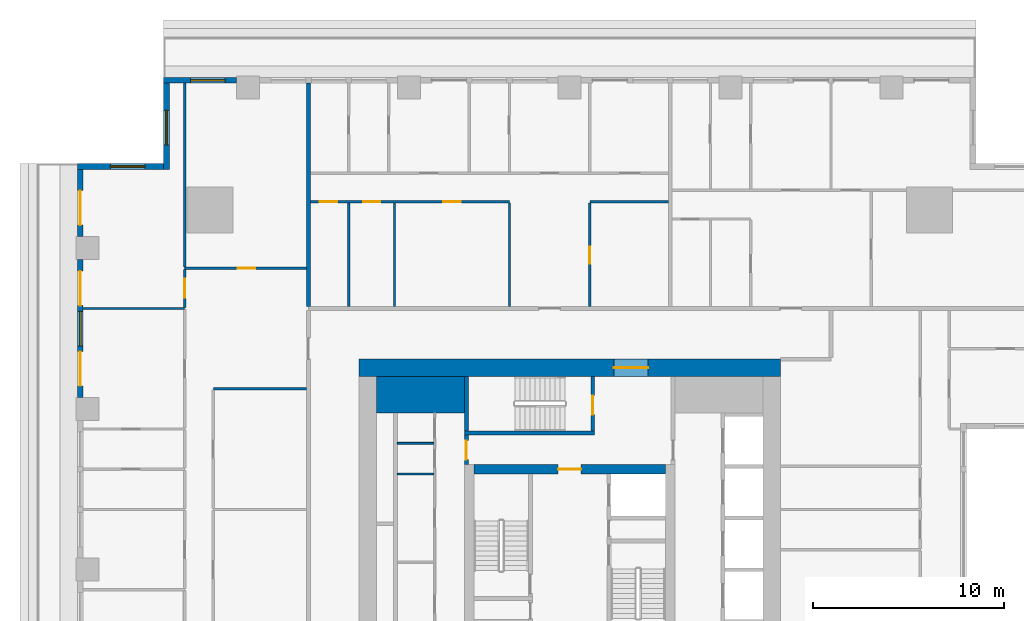
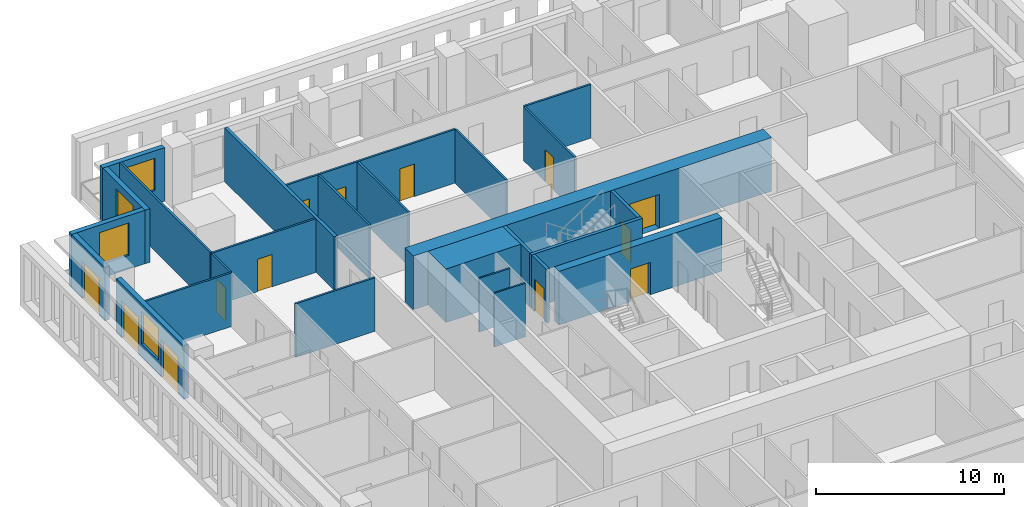
# One storey, part 7 of 16: 26 walls, 13 doors, 4 windows, 17 openings.
"""IFC4 building model written with IfcOpenShell, lengths in metres."""

from ifc_helpers import new_model, si_unit, direction, frame, frame_2d, origin, place, context, subcontext, project, spatial, rectangle, extrude, material, layer, layer_set, type_object, element, fill, save


model = new_model("IFC4")

# Units and contexts
model_context = context("Model", 3, precision=1e-05, world=origin(), true_north=direction((0.0, 1.0)))
body_context = subcontext(model_context, "Body", "Model", "MODEL_VIEW")
ifc_project = project(units=[si_unit("LENGTHUNIT", "METRE"), si_unit("AREAUNIT", "SQUARE_METRE"), si_unit("VOLUMEUNIT", "CUBIC_METRE"), si_unit("PLANEANGLEUNIT", "RADIAN"), si_unit("MASSUNIT", "GRAM", prefix="KILO")], contexts=[model_context])

# Site, building, storey
site_placement = place(None, origin())
site = spatial("IfcSite", under=ifc_project, at=site_placement, CompositionType="ELEMENT")
building_placement = place(site_placement, origin())
building = spatial("IfcBuilding", under=site, at=building_placement, Name="Khepri Terraces", CompositionType="ELEMENT")
storey_placement = place(building_placement, frame((0.0, 0.0, 207.89990234375)))
storey = spatial("IfcBuildingStorey", under=building, at=storey_placement, Name="L49", CompositionType="ELEMENT", Elevation=207.89990234375)

# Walls
ifc_material_1 = material(Name="Concrete C50/60", Category="concrete")
ifc_layer_1 = layer(ifc_material_1, 1.89990234375, Name="Concrete C50/60", Category="concrete")
ifc_layer_set_1 = layer_set([ifc_layer_1], Name="Concrete C50/60")
wall_type_1 = type_object("IfcWallType", Name="Core wall 1900 C50/60", PredefinedType="SHEAR", material=ifc_layer_set_1)
wall_1_placement = place(storey_placement, frame((-10.10009765625, 9.14990234375, 0.0), z_axis=(0.0, 0.0, 1.0), x_axis=(1.0, 0.0, 0.0)))
element("IfcWall", 1, at=wall_1_placement, inside=storey, type_object=wall_type_1, Name="Core wall PR03 L49", PredefinedType="SHEAR", context=body_context, shape_type="SweptSolid", body=[
    extrude(rectangle(XDim=4.60009765625, YDim=1.89990234375, at=frame_2d((2.300048828125, 0.0))), origin(), (0.0, 0.0, 1.0), 3.47998046875),
])
ifc_layer_2 = layer(ifc_material_1, 0.199951171875, Name="Concrete C50/60", Category="concrete")
ifc_layer_set_2 = layer_set([ifc_layer_2], Name="Concrete C50/60")
wall_type_2 = type_object("IfcWallType", Name="Core wall 200 C50/60", PredefinedType="SHEAR", material=ifc_layer_set_2)
wall_2_placement = place(storey_placement, frame((-5.5, 7.14990234375, 0.0), z_axis=(0.0, 0.0, 1.0), x_axis=(1.0, 0.0, 0.0)))
element("IfcWall", 2, at=wall_2_placement, inside=storey, type_object=wall_type_2, Name="Core wall ST05 L49", PredefinedType="SHEAR", context=body_context, shape_type="SweptSolid", body=[
    extrude(rectangle(XDim=6.800048828125, YDim=0.199951171875, at=frame_2d((3.39990234375, 0.0))), origin(), (0.0, 0.0, 1.0), 3.47998046875),
])
wall_3_placement = place(storey_placement, frame((-5.39990234375, 7.25, 0.0), z_axis=(0.0, 0.0, 1.0), x_axis=(0.0, 1.0, 0.0)))
element("IfcWall", 3, at=wall_3_placement, inside=storey, type_object=wall_type_2, Name="Core wall ST06 L49", PredefinedType="SHEAR", context=body_context, shape_type="SweptSolid", body=[
    extrude(rectangle(XDim=2.85009765625, YDim=0.199951171875, at=frame_2d((1.425048828125, 0.0))), origin(), (0.0, 0.0, 1.0), 3.47998046875),
])

# Wall, opening, door
wall_4_placement = place(storey_placement, frame((1.199951171875, 7.25, 0.0), z_axis=(0.0, 0.0, 1.0), x_axis=(0.0, 1.0, 0.0)))
wall_4 = element("IfcWall", 4, at=wall_4_placement, inside=storey, type_object=wall_type_2, Name="Core wall ST07 L49", PredefinedType="SHEAR", context=body_context, shape_type="SweptSolid", body=[
    extrude(rectangle(XDim=2.85009765625, YDim=0.199951171875, at=frame_2d((1.425048828125, 0.0))), origin(), (0.0, 0.0, 1.0), 3.47998046875),
])
opening_1_placement = place(wall_4_placement, frame((0.85009765625, 0.0, 0.0)))
opening_1 = element("IfcOpeningElement", 5, at=opening_1_placement, cuts=wall_4, Name="Opening L49-C15", PredefinedType="OPENING", context=body_context, shape_type="SweptSolid", body=[
    extrude(rectangle(XDim=1.0, YDim=2.10009765625, at=frame_2d((0.5, 1.050048828125))), frame((0.0, 0.10986328125, 0.0), z_axis=(0.0, -1.0, 0.0), x_axis=(1.0, 0.0, 0.0)), (0.0, 0.0, 1.0), 0.219970703125),
])
ifc_material_2 = material(Name="Painted steel", Category="steel")
door_type_1 = type_object("IfcDoorType", Name="DR-CORE-STAIR-1000", OperationType="NOTDEFINED", PredefinedType="DOOR", material=ifc_material_2)
door_1_placement = place(opening_1_placement, origin())
door_1 = element("IfcDoor", 6, at=door_1_placement, inside=storey, type_object=door_type_1, Name="Stair door L49-C15", OperationType="SINGLE_SWING_LEFT", OverallHeight=2.10009765625, OverallWidth=1.0, PredefinedType="DOOR", context=body_context, shape_type="SweptSolid", body=[
    extrude(rectangle(XDim=1.0, YDim=2.10009765625, at=frame_2d((0.5, 1.050048828125))), frame((0.0, 0.02490234375, 0.0), z_axis=(0.0, -1.0, 0.0), x_axis=(1.0, 0.0, 0.0)), (0.0, 0.0, 1.0), 0.050048828125),
])
fill(opening_1, door_1)

ifc_layer_3 = layer(ifc_material_1, 0.5, Name="Concrete C50/60", Category="concrete")
ifc_layer_set_3 = layer_set([ifc_layer_3], Name="Concrete C50/60")
wall_type_3 = type_object("IfcWallType", Name="Core wall 500 C50/60", PredefinedType="SHEAR", material=ifc_layer_set_3)
wall_5_placement = place(storey_placement, frame((-5.0, 5.25, 0.0), z_axis=(0.0, 0.0, 1.0), x_axis=(1.0, 0.0, 0.0)))
wall_5 = element("IfcWall", 7, at=wall_5_placement, inside=storey, type_object=wall_type_3, Name="Core wall BX04 L49", PredefinedType="SHEAR", context=body_context, shape_type="SweptSolid", body=[
    extrude(rectangle(XDim=10.0, YDim=0.5, at=frame_2d((5.0, 0.0))), origin(), (0.0, 0.0, 1.0), 3.47998046875),
])
opening_2_placement = place(wall_5_placement, frame((4.39990234375, 0.0, 0.0)))
opening_2 = element("IfcOpeningElement", 8, at=opening_2_placement, cuts=wall_5, Name="Opening L49-C13", PredefinedType="OPENING", context=body_context, shape_type="SweptSolid", body=[
    extrude(rectangle(XDim=1.199951171875, YDim=2.10009765625, at=frame_2d((0.60009765625, 1.050048828125))), frame((0.0, 0.260009765625, 0.0), z_axis=(0.0, -1.0, 0.0), x_axis=(1.0, 0.0, 0.0)), (0.0, 0.0, 1.0), 0.52001953125),
])
door_type_2 = type_object("IfcDoorType", Name="DR-CORE-FF-LOBBY-1200", OperationType="NOTDEFINED", PredefinedType="DOOR", material=ifc_material_2)
door_2_placement = place(opening_2_placement, frame((1.199951171875, 0.0, 0.0), z_axis=(0.0, 0.0, 1.0), x_axis=(-1.0, 0.0, 0.0)))
door_2 = element("IfcDoor", 9, at=door_2_placement, inside=storey, type_object=door_type_2, Name="Firefighting lobby door L49-C13", OperationType="SINGLE_SWING_LEFT", OverallHeight=2.10009765625, OverallWidth=1.199951171875, PredefinedType="DOOR", context=body_context, shape_type="SweptSolid", body=[
    extrude(rectangle(XDim=1.199951171875, YDim=2.10009765625, at=frame_2d((0.60009765625, 1.050048828125))), frame((0.0, 0.02490234375, 0.0), z_axis=(0.0, -1.0, 0.0), x_axis=(1.0, 0.0, 0.0)), (0.0, 0.0, 1.0), 0.050048828125),
])
fill(opening_2, door_2)

ifc_layer_4 = layer(ifc_material_1, 0.89990234375, Name="Concrete C50/60", Category="concrete")
ifc_layer_set_4 = layer_set([ifc_layer_4], Name="Concrete C50/60")
wall_type_4 = type_object("IfcWallType", Name="Core wall 900 C50/60", PredefinedType="SHEAR", material=ifc_layer_set_4)
wall_6_placement = place(storey_placement, frame((-11.0, 10.550048828125, 0.0), z_axis=(0.0, 0.0, 1.0), x_axis=(1.0, 0.0, 0.0)))
wall_6 = element("IfcWall", 10, at=wall_6_placement, inside=storey, type_object=wall_type_4, Name="Core wall OW-N L49", PredefinedType="SHEAR", context=body_context, shape_type="SweptSolid", body=[
    extrude(rectangle(XDim=22.0, YDim=0.89990234375, at=frame_2d((11.0, 0.0))), origin(), (0.0, 0.0, 1.0), 3.47998046875),
])
opening_3_placement = place(wall_6_placement, frame((13.300048828125, 0.0, 0.0)))
opening_3 = element("IfcOpeningElement", 11, at=opening_3_placement, cuts=wall_6, Name="Opening L49-C20", PredefinedType="OPENING", context=body_context, shape_type="SweptSolid", body=[
    extrude(rectangle(XDim=1.800048828125, YDim=2.199951171875, at=frame_2d((0.89990234375, 1.10009765625))), frame((0.0, 0.4599609375, 0.0), z_axis=(0.0, -1.0, 0.0), x_axis=(1.0, 0.0, 0.0)), (0.0, 0.0, 1.0), 0.919921875),
])
door_type_3 = type_object("IfcDoorType", Name="DR-CORE-ENTRANCE-1800", OperationType="NOTDEFINED", PredefinedType="DOOR", material=ifc_material_2)
door_3_placement = place(opening_3_placement, origin())
door_3 = element("IfcDoor", 12, at=door_3_placement, inside=storey, type_object=door_type_3, Name="Core entrance door pair L49-C20", OperationType="DOUBLE_DOOR_SINGLE_SWING", OverallHeight=2.199951171875, OverallWidth=1.800048828125, PredefinedType="DOOR", context=body_context, shape_type="SweptSolid", body=[
    extrude(rectangle(XDim=1.800048828125, YDim=2.199951171875, at=frame_2d((0.89990234375, 1.10009765625))), frame((0.0, 0.02490234375, 0.0), z_axis=(0.0, -1.0, 0.0), x_axis=(1.0, 0.0, 0.0)), (0.0, 0.0, 1.0), 0.050048828125),
])
fill(opening_3, door_3)

# Walls
ifc_material_3 = material(Name="Fire-rated gypsum board partition")
ifc_layer_5 = layer(ifc_material_3, 0.10009765625, Name="Fire-rated gypsum board partition")
ifc_layer_set_5 = layer_set([ifc_layer_5], Name="Fire-rated gypsum board partition")
wall_type_5 = type_object("IfcWallType", Name="WL-CORE-PART-100", PredefinedType="PARTITIONING", material=ifc_layer_set_5)
for number, where, z_axis, x_axis, name in (
    (13, (-9.0, 5.0, 0.0), (0.0, 0.0, 1.0), (1.0, 0.0, 0.0), "Core partition PT11 L49"),
    (14, (-9.0, 6.60009765625, 0.0), (0.0, 0.0, 1.0), (1.0, 0.0, 0.0), "Core partition PT14 L49"),
):
    element("IfcWall", number, at=place(storey_placement, frame(where, z_axis=z_axis, x_axis=x_axis)), inside=storey, type_object=wall_type_5, Name=name, PredefinedType="PARTITIONING", context=body_context, shape_type="SweptSolid", body=[
        extrude(rectangle(XDim=1.89990234375, YDim=0.10009765625, at=frame_2d((0.949951171875, 0.0))), origin(), (0.0, 0.0, 1.0), 3.47998046875),
    ])

# Wall, opening, door
ifc_layer_6 = layer(ifc_material_3, 0.199951171875, Name="Fire-rated gypsum board partition")
ifc_layer_set_6 = layer_set([ifc_layer_6], Name="Fire-rated gypsum board partition")
wall_type_6 = type_object("IfcWallType", Name="WL-CORE-PART-200", PredefinedType="PARTITIONING", material=ifc_layer_set_6)
wall_7_placement = place(storey_placement, frame((-5.39990234375, 5.5, 0.0), z_axis=(0.0, 0.0, 1.0), x_axis=(0.0, 1.0, 0.0)))
wall_7 = element("IfcWall", 15, at=wall_7_placement, inside=storey, type_object=wall_type_6, Name="Core partition PT12 L49", PredefinedType="PARTITIONING", context=body_context, shape_type="SweptSolid", body=[
    extrude(rectangle(XDim=1.550048828125, YDim=0.199951171875, at=frame_2d((0.77490234375, 0.0))), origin(), (0.0, 0.0, 1.0), 3.47998046875),
])
opening_4_placement = place(wall_7_placement, frame((0.25, 0.0, 0.0)))
opening_4 = element("IfcOpeningElement", 16, at=opening_4_placement, cuts=wall_7, Name="Opening L49-C16", PredefinedType="OPENING", context=body_context, shape_type="SweptSolid", body=[
    extrude(rectangle(XDim=1.0, YDim=2.10009765625, at=frame_2d((0.5, 1.050048828125))), frame((0.0, 0.10986328125, 0.0), z_axis=(0.0, -1.0, 0.0), x_axis=(1.0, 0.0, 0.0)), (0.0, 0.0, 1.0), 0.219970703125),
])
door_type_4 = type_object("IfcDoorType", Name="DR-CORE-LOBBY-1000", OperationType="NOTDEFINED", PredefinedType="DOOR", material=ifc_material_2)
door_4_placement = place(opening_4_placement, frame((1.0, 0.0, 0.0), z_axis=(0.0, 0.0, 1.0), x_axis=(-1.0, 0.0, 0.0)))
door_4 = element("IfcDoor", 17, at=door_4_placement, inside=storey, type_object=door_type_4, Name="Lobby door L49-C16", OperationType="SINGLE_SWING_RIGHT", OverallHeight=2.10009765625, OverallWidth=1.0, PredefinedType="DOOR", context=body_context, shape_type="SweptSolid", body=[
    extrude(rectangle(XDim=1.0, YDim=2.10009765625, at=frame_2d((0.5, 1.050048828125))), frame((0.0, 0.02490234375, 0.0), z_axis=(0.0, -1.0, 0.0), x_axis=(1.0, 0.0, 0.0)), (0.0, 0.0, 1.0), 0.050048828125),
])
fill(opening_4, door_4)

# Wall
ifc_material_4 = material(Name="Fire-rated gypsum plasterboard partition, mineral wool")
ifc_layer_7 = layer(ifc_material_4, 0.199951171875, Name="Fire-rated gypsum plasterboard partition, mineral wool")
ifc_layer_set_7 = layer_set([ifc_layer_7], Name="Fire-rated gypsum plasterboard partition, mineral wool")
wall_type_7 = type_object("IfcWallType", Name="WL-CORR-200", PredefinedType="PARTITIONING", material=ifc_layer_set_7)
wall_8_placement = place(storey_placement, frame((-13.64990234375, 13.75, 0.0), z_axis=(0.0, 0.0, 1.0), x_axis=(0.0, 1.0, 0.0)))
element("IfcWall", 18, at=wall_8_placement, inside=storey, type_object=wall_type_7, Name="Partition P-077 L49", PredefinedType="PARTITIONING", context=body_context, shape_type="SweptSolid", body=[
    extrude(rectangle(XDim=11.669921875, YDim=0.199951171875, at=frame_2d((5.8349609375, 0.0))), origin(), (0.0, 0.0, 1.0), 3.47998046875),
])

# Wall, opening, window
ifc_material_5 = material(Name="Precast concrete C50/60 warm stone", Category="masonry")
ifc_layer_8 = layer(ifc_material_5, 0.300048828125, Name="Precast concrete C50/60 warm stone", Category="masonry")
ifc_layer_set_8 = layer_set([ifc_layer_8], Name="Precast concrete C50/60 warm stone")
wall_type_8 = type_object("IfcWallType", Name="WL-EXT-PRECAST-300", PredefinedType="STANDARD", material=ifc_layer_set_8)
wall_9_placement = place(storey_placement, frame((-17.39990234375, 25.570068359375, 0.0), z_axis=(0.0, 0.0, 1.0), x_axis=(-1.0, 0.0, 0.0)))
wall_9 = element("IfcWall", 19, at=wall_9_placement, inside=storey, type_object=wall_type_8, Name="External wall L49 N", PredefinedType="STANDARD", context=body_context, shape_type="SweptSolid", body=[
    extrude(rectangle(XDim=3.820068359375, YDim=0.300048828125, at=frame_2d((1.91015625, 0.0))), origin(), (0.0, 0.0, 1.0), 3.47998046875),
])
opening_5_placement = place(wall_9_placement, frame((0.60009765625, 0.0, 0.89990234375)))
opening_5 = element("IfcOpeningElement", 20, at=opening_5_placement, cuts=wall_9, Name="Opening W1", PredefinedType="OPENING", context=body_context, shape_type="SweptSolid", body=[
    extrude(rectangle(XDim=1.800048828125, YDim=2.10009765625, at=frame_2d((0.89990234375, 1.050048828125))), frame((0.0, 0.16015625, 0.0), z_axis=(0.0, -1.0, 0.0), x_axis=(1.0, 0.0, 0.0)), (0.0, 0.0, 1.0), 0.320068359375),
])
ifc_material_6 = material(Name="Clear glass", Category="glass")
window_type = type_object("IfcWindowType", Name="WIN-RES-1800x2100", PartitioningType="SINGLE_PANEL", PredefinedType="WINDOW", material=ifc_material_6)
window_1_placement = place(opening_5_placement, origin())
window_1 = element("IfcWindow", 21, at=window_1_placement, inside=storey, type_object=window_type, Name="Window L49 N", OverallHeight=2.10009765625, OverallWidth=1.800048828125, PartitioningType="SINGLE_PANEL", PredefinedType="WINDOW", context=body_context, shape_type="SweptSolid", body=[
    extrude(rectangle(XDim=1.800048828125, YDim=2.10009765625, at=frame_2d((0.89990234375, 1.050048828125))), frame((0.0, 0.030029296875, 0.0), z_axis=(0.0, -1.0, 0.0), x_axis=(1.0, 0.0, 0.0)), (0.0, 0.0, 1.0), 0.06005859375),
])
fill(opening_5, window_1)

wall_10_placement = place(storey_placement, frame((-21.070068359375, 25.419921875, 0.0), z_axis=(0.0, 0.0, 1.0), x_axis=(0.0, -1.0, 0.0)))
wall_10 = element("IfcWall", 22, at=wall_10_placement, inside=storey, type_object=wall_type_8, Name="External wall L49 W", PredefinedType="STANDARD", context=body_context, shape_type="SweptSolid", body=[
    extrude(rectangle(XDim=4.5, YDim=0.300048828125, at=frame_2d((2.25, 0.0))), origin(), (0.0, 0.0, 1.0), 3.47998046875),
])
opening_6_placement = place(wall_10_placement, frame((1.419921875, 0.0, 0.89990234375)))
opening_6 = element("IfcOpeningElement", 23, at=opening_6_placement, cuts=wall_10, Name="Opening W1", PredefinedType="OPENING", context=body_context, shape_type="SweptSolid", body=[
    extrude(rectangle(XDim=1.800048828125, YDim=2.10009765625, at=frame_2d((0.89990234375, 1.050048828125))), frame((0.0, 0.16015625, 0.0), z_axis=(0.0, -1.0, 0.0), x_axis=(1.0, 0.0, 0.0)), (0.0, 0.0, 1.0), 0.320068359375),
])
window_2_placement = place(opening_6_placement, origin())
window_2 = element("IfcWindow", 24, at=window_2_placement, inside=storey, type_object=window_type, Name="Window L49 W", OverallHeight=2.10009765625, OverallWidth=1.800048828125, PartitioningType="SINGLE_PANEL", PredefinedType="WINDOW", context=body_context, shape_type="SweptSolid", body=[
    extrude(rectangle(XDim=1.800048828125, YDim=2.10009765625, at=frame_2d((0.89990234375, 1.050048828125))), frame((0.0, 0.030029296875, 0.0), z_axis=(0.0, -1.0, 0.0), x_axis=(1.0, 0.0, 0.0)), (0.0, 0.0, 1.0), 0.06005859375),
])
fill(opening_6, window_2)

wall_11_placement = place(storey_placement, frame((-21.219970703125, 21.070068359375, 0.0), z_axis=(0.0, 0.0, 1.0), x_axis=(-1.0, 0.0, 0.0)))
wall_11 = element("IfcWall", 25, at=wall_11_placement, inside=storey, type_object=wall_type_8, Name="External wall L49 N", PredefinedType="STANDARD", context=body_context, shape_type="SweptSolid", body=[
    extrude(rectangle(XDim=4.5, YDim=0.300048828125, at=frame_2d((2.25, 0.0))), origin(), (0.0, 0.0, 1.0), 3.47998046875),
])
opening_7_placement = place(wall_11_placement, frame((0.97998046875, 0.0, 0.89990234375)))
opening_7 = element("IfcOpeningElement", 26, at=opening_7_placement, cuts=wall_11, Name="Opening W1", PredefinedType="OPENING", context=body_context, shape_type="SweptSolid", body=[
    extrude(rectangle(XDim=1.800048828125, YDim=2.10009765625, at=frame_2d((0.89990234375, 1.050048828125))), frame((0.0, 0.16015625, 0.0), z_axis=(0.0, -1.0, 0.0), x_axis=(1.0, 0.0, 0.0)), (0.0, 0.0, 1.0), 0.320068359375),
])
window_3_placement = place(opening_7_placement, origin())
window_3 = element("IfcWindow", 27, at=window_3_placement, inside=storey, type_object=window_type, Name="Window L49 N", OverallHeight=2.10009765625, OverallWidth=1.800048828125, PartitioningType="SINGLE_PANEL", PredefinedType="WINDOW", context=body_context, shape_type="SweptSolid", body=[
    extrude(rectangle(XDim=1.800048828125, YDim=2.10009765625, at=frame_2d((0.89990234375, 1.050048828125))), frame((0.0, 0.030029296875, 0.0), z_axis=(0.0, -1.0, 0.0), x_axis=(1.0, 0.0, 0.0)), (0.0, 0.0, 1.0), 0.06005859375),
])
fill(opening_7, window_3)

# Wall, opening, door
wall_12_placement = place(storey_placement, frame((-25.570068359375, 20.919921875, 0.0), z_axis=(0.0, 0.0, 1.0), x_axis=(0.0, -1.0, 0.0)))
wall_12 = element("IfcWall", 28, at=wall_12_placement, inside=storey, type_object=wall_type_8, Name="External wall L49 W", PredefinedType="STANDARD", context=body_context, shape_type="SweptSolid", body=[
    extrude(rectangle(XDim=3.52001953125, YDim=0.300048828125, at=frame_2d((1.760009765625, 0.0))), origin(), (0.0, 0.0, 1.0), 3.47998046875),
])
opening_8_placement = place(wall_12_placement, frame((1.1201171875, 0.0, 0.0)))
opening_8 = element("IfcOpeningElement", 29, at=opening_8_placement, cuts=wall_12, Name="Opening ED-L49-10", PredefinedType="OPENING", context=body_context, shape_type="SweptSolid", body=[
    extrude(rectangle(XDim=1.800048828125, YDim=2.39990234375, at=frame_2d((0.89990234375, 1.199951171875))), frame((0.0, 0.16015625, 0.0), z_axis=(0.0, -1.0, 0.0), x_axis=(1.0, 0.0, 0.0)), (0.0, 0.0, 1.0), 0.320068359375),
])
ifc_material_7 = material(Name="Anodised aluminium bronze glazed door", Category="aluminium")
door_type_5 = type_object("IfcDoorType", Name="DR-BAL-SLIDE-1800x2400", OperationType="NOTDEFINED", PredefinedType="DOOR", material=ifc_material_7)
door_5_placement = place(opening_8_placement, origin())
door_5 = element("IfcDoor", 30, at=door_5_placement, inside=storey, type_object=door_type_5, Name="Balcony door L49 W", OperationType="SLIDING_TO_RIGHT", OverallHeight=2.39990234375, OverallWidth=1.800048828125, PredefinedType="DOOR", context=body_context, shape_type="SweptSolid", body=[
    extrude(rectangle(XDim=1.800048828125, YDim=2.39990234375, at=frame_2d((0.89990234375, 1.199951171875))), frame((0.0, 0.02490234375, 0.0), z_axis=(0.0, -1.0, 0.0), x_axis=(1.0, 0.0, 0.0)), (0.0, 0.0, 1.0), 0.050048828125),
])
fill(opening_8, door_5)

# Wall, openings, doors, window
wall_13_placement = place(storey_placement, frame((-25.570068359375, 16.199951171875, 0.0), z_axis=(0.0, 0.0, 1.0), x_axis=(0.0, -1.0, 0.0)))
wall_13 = element("IfcWall", 31, at=wall_13_placement, inside=storey, type_object=wall_type_8, Name="External wall L49 W", PredefinedType="STANDARD", context=body_context, shape_type="SweptSolid", body=[
    extrude(rectangle(XDim=7.199951171875, YDim=0.300048828125, at=frame_2d((3.60009765625, 0.0))), origin(), (0.0, 0.0, 1.0), 3.47998046875),
])
opening_9_placement = place(wall_13_placement, frame((0.60009765625, 0.0, 0.0)))
opening_9 = element("IfcOpeningElement", 32, at=opening_9_placement, cuts=wall_13, Name="Opening ED-L49-11", PredefinedType="OPENING", context=body_context, shape_type="SweptSolid", body=[
    extrude(rectangle(XDim=1.800048828125, YDim=2.39990234375, at=frame_2d((0.89990234375, 1.199951171875))), frame((0.0, 0.16015625, 0.0), z_axis=(0.0, -1.0, 0.0), x_axis=(1.0, 0.0, 0.0)), (0.0, 0.0, 1.0), 0.320068359375),
])
opening_10_placement = place(wall_13_placement, frame((2.699951171875, 0.0, 0.89990234375)))
opening_10 = element("IfcOpeningElement", 33, at=opening_10_placement, cuts=wall_13, Name="Opening W1", PredefinedType="OPENING", context=body_context, shape_type="SweptSolid", body=[
    extrude(rectangle(XDim=1.800048828125, YDim=2.10009765625, at=frame_2d((0.89990234375, 1.050048828125))), frame((0.0, 0.16015625, 0.0), z_axis=(0.0, -1.0, 0.0), x_axis=(1.0, 0.0, 0.0)), (0.0, 0.0, 1.0), 0.320068359375),
])
opening_11_placement = place(wall_13_placement, frame((4.800048828125, 0.0, 0.0)))
opening_11 = element("IfcOpeningElement", 34, at=opening_11_placement, cuts=wall_13, Name="Opening ED-L49-12", PredefinedType="OPENING", context=body_context, shape_type="SweptSolid", body=[
    extrude(rectangle(XDim=1.800048828125, YDim=2.39990234375, at=frame_2d((0.89990234375, 1.199951171875))), frame((0.0, 0.16015625, 0.0), z_axis=(0.0, -1.0, 0.0), x_axis=(1.0, 0.0, 0.0)), (0.0, 0.0, 1.0), 0.320068359375),
])
door_6_placement = place(opening_9_placement, origin())
door_6 = element("IfcDoor", 35, at=door_6_placement, inside=storey, type_object=door_type_5, Name="Balcony door L49 W", OperationType="SLIDING_TO_LEFT", OverallHeight=2.39990234375, OverallWidth=1.800048828125, PredefinedType="DOOR", context=body_context, shape_type="SweptSolid", body=[
    extrude(rectangle(XDim=1.800048828125, YDim=2.39990234375, at=frame_2d((0.89990234375, 1.199951171875))), frame((0.0, 0.02490234375, 0.0), z_axis=(0.0, -1.0, 0.0), x_axis=(1.0, 0.0, 0.0)), (0.0, 0.0, 1.0), 0.050048828125),
])
fill(opening_9, door_6)
door_7_placement = place(opening_11_placement, origin())
door_7 = element("IfcDoor", 36, at=door_7_placement, inside=storey, type_object=door_type_5, Name="Balcony door L49 W", OperationType="SLIDING_TO_RIGHT", OverallHeight=2.39990234375, OverallWidth=1.800048828125, PredefinedType="DOOR", context=body_context, shape_type="SweptSolid", body=[
    extrude(rectangle(XDim=1.800048828125, YDim=2.39990234375, at=frame_2d((0.89990234375, 1.199951171875))), frame((0.0, 0.02490234375, 0.0), z_axis=(0.0, -1.0, 0.0), x_axis=(1.0, 0.0, 0.0)), (0.0, 0.0, 1.0), 0.050048828125),
])
fill(opening_11, door_7)
window_4_placement = place(opening_10_placement, origin())
window_4 = element("IfcWindow", 37, at=window_4_placement, inside=storey, type_object=window_type, Name="Window L49 W", OverallHeight=2.10009765625, OverallWidth=1.800048828125, PartitioningType="SINGLE_PANEL", PredefinedType="WINDOW", context=body_context, shape_type="SweptSolid", body=[
    extrude(rectangle(XDim=1.800048828125, YDim=2.10009765625, at=frame_2d((0.89990234375, 1.050048828125))), frame((0.0, 0.030029296875, 0.0), z_axis=(0.0, -1.0, 0.0), x_axis=(1.0, 0.0, 0.0)), (0.0, 0.0, 1.0), 0.06005859375),
])
fill(opening_10, window_4)

# Walls
ifc_material_8 = material(Name="Gypsum plasterboard partition")
ifc_layer_9 = layer(ifc_material_8, 0.1201171875, Name="Gypsum plasterboard partition")
ifc_layer_set_9 = layer_set([ifc_layer_9], Name="Gypsum plasterboard partition")
wall_type_9 = type_object("IfcWallType", Name="WL-PART-120", PredefinedType="PARTITIONING", material=ifc_layer_set_9)
wall_14_placement = place(storey_placement, frame((-18.6201171875, 9.449951171875, 0.0), z_axis=(0.0, 0.0, 1.0), x_axis=(1.0, 0.0, 0.0)))
element("IfcWall", 38, at=wall_14_placement, inside=storey, type_object=wall_type_9, Name="Partition P-069 L49", PredefinedType="PARTITIONING", context=body_context, shape_type="SweptSolid", body=[
    extrude(rectangle(XDim=4.8701171875, YDim=0.1201171875, at=frame_2d((2.43505859375, 0.0))), origin(), (0.0, 0.0, 1.0), 3.47998046875),
])
wall_15_placement = place(storey_placement, frame((-25.419921875, 13.64990234375, 0.0), z_axis=(0.0, 0.0, 1.0), x_axis=(1.0, 0.0, 0.0)))
element("IfcWall", 39, at=wall_15_placement, inside=storey, type_object=wall_type_9, Name="Partition P-074 L49", PredefinedType="PARTITIONING", context=body_context, shape_type="SweptSolid", body=[
    extrude(rectangle(XDim=5.2998046875, YDim=0.1201171875, at=frame_2d((2.64990234375, 0.0))), origin(), (0.0, 0.0, 1.0), 3.47998046875),
])

# Wall, opening, door
wall_16_placement = place(storey_placement, frame((-20.1201171875, 13.7099609375, 0.0), z_axis=(0.0, 0.0, 1.0), x_axis=(0.0, 1.0, 0.0)))
wall_16 = element("IfcWall", 40, at=wall_16_placement, inside=storey, type_object=wall_type_9, Name="Partition P-076 L49", PredefinedType="PARTITIONING", context=body_context, shape_type="SweptSolid", body=[
    extrude(rectangle(XDim=1.97998046875, YDim=0.1201171875, at=frame_2d((0.989990234375, 0.0))), origin(), (0.0, 0.0, 1.0), 3.47998046875),
])
opening_12_placement = place(wall_16_placement, frame((0.489990234375, 0.0, 0.0)))
opening_12 = element("IfcOpeningElement", 41, at=opening_12_placement, cuts=wall_16, Name="Opening D2", PredefinedType="OPENING", context=body_context, shape_type="SweptSolid", body=[
    extrude(rectangle(XDim=1.0, YDim=2.10009765625, at=frame_2d((0.5, 1.050048828125))), frame((0.0, 0.070068359375, 0.0), z_axis=(0.0, -1.0, 0.0), x_axis=(1.0, 0.0, 0.0)), (0.0, 0.0, 1.0), 0.14013671875),
])
ifc_material_9 = material(Name="Timber door leaf, living room door", Category="wood")
door_type_6 = type_object("IfcDoorType", Name="DR-INT-1000", OperationType="NOTDEFINED", PredefinedType="DOOR", material=ifc_material_9)
door_8_placement = place(opening_12_placement, origin())
door_8 = element("IfcDoor", 42, at=door_8_placement, inside=storey, type_object=door_type_6, Name="Door Living Room", OperationType="SINGLE_SWING_LEFT", OverallHeight=2.10009765625, OverallWidth=1.0, PredefinedType="DOOR", context=body_context, shape_type="SweptSolid", body=[
    extrude(rectangle(XDim=1.0, YDim=2.10009765625, at=frame_2d((0.5, 1.050048828125))), frame((0.0, 0.02490234375, 0.0), z_axis=(0.0, -1.0, 0.0), x_axis=(1.0, 0.0, 0.0)), (0.0, 0.0, 1.0), 0.050048828125),
])
fill(opening_12, door_8)

# Walls
for number, where, z_axis, x_axis, name in (
    (43, (-11.550048828125, 13.75, 0.0), (0.0, 0.0, 1.0), (0.0, 1.0, 0.0), "Partition P-078 L49"),
    (44, (-9.14990234375, 13.75, 0.0), (0.0, 0.0, 1.0), (0.0, 1.0, 0.0), "Partition P-079 L49"),
    (45, (-3.14990234375, 13.75, 0.0), (0.0, 0.0, 1.0), (0.0, 1.0, 0.0), "Partition P-080 L49"),
):
    element("IfcWall", number, at=place(storey_placement, frame(where, z_axis=z_axis, x_axis=x_axis)), inside=storey, type_object=wall_type_9, Name=name, PredefinedType="PARTITIONING", context=body_context, shape_type="SweptSolid", body=[
        extrude(rectangle(XDim=5.409912109375, YDim=0.1201171875, at=frame_2d((2.705078125, 0.0))), origin(), (0.0, 0.0, 1.0), 3.47998046875),
    ])

# Wall, opening, door
wall_17_placement = place(storey_placement, frame((1.050048828125, 13.75, 0.0), z_axis=(0.0, 0.0, 1.0), x_axis=(0.0, 1.0, 0.0)))
wall_17 = element("IfcWall", 46, at=wall_17_placement, inside=storey, type_object=wall_type_9, Name="Partition P-081 L49", PredefinedType="PARTITIONING", context=body_context, shape_type="SweptSolid", body=[
    extrude(rectangle(XDim=5.409912109375, YDim=0.1201171875, at=frame_2d((2.705078125, 0.0))), origin(), (0.0, 0.0, 1.0), 3.47998046875),
])
opening_13_placement = place(wall_17_placement, frame((2.235107421875, 0.0, 0.0)))
opening_13 = element("IfcOpeningElement", 47, at=opening_13_placement, cuts=wall_17, Name="Opening D3", PredefinedType="OPENING", context=body_context, shape_type="SweptSolid", body=[
    extrude(rectangle(XDim=0.89990234375, YDim=2.10009765625, at=frame_2d((0.449951171875, 1.050048828125))), frame((0.0, 0.070068359375, 0.0), z_axis=(0.0, -1.0, 0.0), x_axis=(1.0, 0.0, 0.0)), (0.0, 0.0, 1.0), 0.14013671875),
])
ifc_material_10 = material(Name="Timber door leaf", Category="wood")
door_type_7 = type_object("IfcDoorType", Name="DR-INT-900", OperationType="NOTDEFINED", PredefinedType="DOOR", material=ifc_material_10)
door_9_placement = place(opening_13_placement, frame((0.89990234375, 0.0, 0.0), z_axis=(0.0, 0.0, 1.0), x_axis=(-1.0, 0.0, 0.0)))
door_9 = element("IfcDoor", 48, at=door_9_placement, inside=storey, type_object=door_type_7, Name="Door Staff Bedroom", OperationType="SINGLE_SWING_RIGHT", OverallHeight=2.10009765625, OverallWidth=0.89990234375, PredefinedType="DOOR", context=body_context, shape_type="SweptSolid", body=[
    extrude(rectangle(XDim=0.89990234375, YDim=2.10009765625, at=frame_2d((0.449951171875, 1.050048828125))), frame((0.0, 0.02490234375, 0.0), z_axis=(0.0, -1.0, 0.0), x_axis=(1.0, 0.0, 0.0)), (0.0, 0.0, 1.0), 0.050048828125),
])
fill(opening_13, door_9)

wall_18_placement = place(storey_placement, frame((-20.1201171875, 15.75, 0.0), z_axis=(0.0, 0.0, 1.0), x_axis=(1.0, 0.0, 0.0)))
wall_18 = element("IfcWall", 49, at=wall_18_placement, inside=storey, type_object=wall_type_9, Name="Partition P-086 L49", PredefinedType="PARTITIONING", context=body_context, shape_type="SweptSolid", body=[
    extrude(rectangle(XDim=6.3701171875, YDim=0.1201171875, at=frame_2d((3.18505859375, 0.0))), origin(), (0.0, 0.0, 1.0), 3.47998046875),
])
opening_14_placement = place(wall_18_placement, frame((2.784912109375, 0.0, 0.0)))
opening_14 = element("IfcOpeningElement", 50, at=opening_14_placement, cuts=wall_18, Name="Opening D3", PredefinedType="OPENING", context=body_context, shape_type="SweptSolid", body=[
    extrude(rectangle(XDim=0.89990234375, YDim=2.10009765625, at=frame_2d((0.449951171875, 1.050048828125))), frame((0.0, 0.070068359375, 0.0), z_axis=(0.0, -1.0, 0.0), x_axis=(1.0, 0.0, 0.0)), (0.0, 0.0, 1.0), 0.14013671875),
])
door_10_placement = place(opening_14_placement, origin())
door_10 = element("IfcDoor", 51, at=door_10_placement, inside=storey, type_object=door_type_7, Name="Door Home Cinema", OperationType="SINGLE_SWING_RIGHT", OverallHeight=2.10009765625, OverallWidth=0.89990234375, PredefinedType="DOOR", context=body_context, shape_type="SweptSolid", body=[
    extrude(rectangle(XDim=0.89990234375, YDim=2.10009765625, at=frame_2d((0.449951171875, 1.050048828125))), frame((0.0, 0.02490234375, 0.0), z_axis=(0.0, -1.0, 0.0), x_axis=(1.0, 0.0, 0.0)), (0.0, 0.0, 1.0), 0.050048828125),
])
fill(opening_14, door_10)

# Wall
wall_19_placement = place(storey_placement, frame((-20.1201171875, 15.81005859375, 0.0), z_axis=(0.0, 0.0, 1.0), x_axis=(0.0, 1.0, 0.0)))
element("IfcWall", 52, at=wall_19_placement, inside=storey, type_object=wall_type_9, Name="Partition P-087 L49", PredefinedType="PARTITIONING", context=body_context, shape_type="SweptSolid", body=[
    extrude(rectangle(XDim=9.60986328125, YDim=0.1201171875, at=frame_2d((4.804931640625, 0.0))), origin(), (0.0, 0.0, 1.0), 3.47998046875),
])

# Wall, openings, doors
wall_20_placement = place(storey_placement, frame((-13.550048828125, 19.219970703125, 0.0), z_axis=(0.0, 0.0, 1.0), x_axis=(1.0, 0.0, 0.0)))
wall_20 = element("IfcWall", 53, at=wall_20_placement, inside=storey, type_object=wall_type_9, Name="Partition P-089 L49", PredefinedType="PARTITIONING", context=body_context, shape_type="SweptSolid", body=[
    extrude(rectangle(XDim=10.400146484375, YDim=0.1201171875, at=frame_2d((5.2001953125, 0.0))), origin(), (0.0, 0.0, 1.0), 3.47998046875),
])
opening_15_placement = place(wall_20_placement, frame((6.949951171875, 0.0, 0.0)))
opening_15 = element("IfcOpeningElement", 54, at=opening_15_placement, cuts=wall_20, Name="Opening D3", PredefinedType="OPENING", context=body_context, shape_type="SweptSolid", body=[
    extrude(rectangle(XDim=0.89990234375, YDim=2.10009765625, at=frame_2d((0.449951171875, 1.050048828125))), frame((0.0, 0.070068359375, 0.0), z_axis=(0.0, -1.0, 0.0), x_axis=(1.0, 0.0, 0.0)), (0.0, 0.0, 1.0), 0.14013671875),
])
opening_16_placement = place(wall_20_placement, frame((2.75, 0.0, 0.0)))
opening_16 = element("IfcOpeningElement", 55, at=opening_16_placement, cuts=wall_20, Name="Opening D4", PredefinedType="OPENING", context=body_context, shape_type="SweptSolid", body=[
    extrude(rectangle(XDim=0.89990234375, YDim=2.10009765625, at=frame_2d((0.449951171875, 1.050048828125))), frame((0.0, 0.070068359375, 0.0), z_axis=(0.0, -1.0, 0.0), x_axis=(1.0, 0.0, 0.0)), (0.0, 0.0, 1.0), 0.14013671875),
])
opening_17_placement = place(wall_20_placement, frame((0.5, 0.0, 0.0)))
opening_17 = element("IfcOpeningElement", 56, at=opening_17_placement, cuts=wall_20, Name="Opening D4", PredefinedType="OPENING", context=body_context, shape_type="SweptSolid", body=[
    extrude(rectangle(XDim=0.89990234375, YDim=2.10009765625, at=frame_2d((0.449951171875, 1.050048828125))), frame((0.0, 0.070068359375, 0.0), z_axis=(0.0, -1.0, 0.0), x_axis=(1.0, 0.0, 0.0)), (0.0, 0.0, 1.0), 0.14013671875),
])
door_11_placement = place(opening_15_placement, frame((0.89990234375, 0.0, 0.0), z_axis=(0.0, 0.0, 1.0), x_axis=(-1.0, 0.0, 0.0)))
door_11 = element("IfcDoor", 57, at=door_11_placement, inside=storey, type_object=door_type_7, Name="Door Kitchen", OperationType="SINGLE_SWING_LEFT", OverallHeight=2.10009765625, OverallWidth=0.89990234375, PredefinedType="DOOR", context=body_context, shape_type="SweptSolid", body=[
    extrude(rectangle(XDim=0.89990234375, YDim=2.10009765625, at=frame_2d((0.449951171875, 1.050048828125))), frame((0.0, 0.02490234375, 0.0), z_axis=(0.0, -1.0, 0.0), x_axis=(1.0, 0.0, 0.0)), (0.0, 0.0, 1.0), 0.050048828125),
])
fill(opening_15, door_11)
ifc_material_11 = material(Name="Timber door leaf, moisture resistant", Category="wood")
door_type_8 = type_object("IfcDoorType", Name="DR-WET-900", OperationType="NOTDEFINED", PredefinedType="DOOR", material=ifc_material_11)
door_12_placement = place(opening_16_placement, frame((0.89990234375, 0.0, 0.0), z_axis=(0.0, 0.0, 1.0), x_axis=(-1.0, 0.0, 0.0)))
door_12 = element("IfcDoor", 58, at=door_12_placement, inside=storey, type_object=door_type_8, Name="Door Powder Room", OperationType="SINGLE_SWING_RIGHT", OverallHeight=2.10009765625, OverallWidth=0.89990234375, PredefinedType="DOOR", context=body_context, shape_type="SweptSolid", body=[
    extrude(rectangle(XDim=0.89990234375, YDim=2.10009765625, at=frame_2d((0.449951171875, 1.050048828125))), frame((0.0, 0.02490234375, 0.0), z_axis=(0.0, -1.0, 0.0), x_axis=(1.0, 0.0, 0.0)), (0.0, 0.0, 1.0), 0.050048828125),
])
fill(opening_16, door_12)
door_13_placement = place(opening_17_placement, frame((0.89990234375, 0.0, 0.0), z_axis=(0.0, 0.0, 1.0), x_axis=(-1.0, 0.0, 0.0)))
door_13 = element("IfcDoor", 59, at=door_13_placement, inside=storey, type_object=door_type_8, Name="Door Guest Bathroom", OperationType="SINGLE_SWING_RIGHT", OverallHeight=2.10009765625, OverallWidth=0.89990234375, PredefinedType="DOOR", context=body_context, shape_type="SweptSolid", body=[
    extrude(rectangle(XDim=0.89990234375, YDim=2.10009765625, at=frame_2d((0.449951171875, 1.050048828125))), frame((0.0, 0.02490234375, 0.0), z_axis=(0.0, -1.0, 0.0), x_axis=(1.0, 0.0, 0.0)), (0.0, 0.0, 1.0), 0.050048828125),
])
fill(opening_17, door_13)

# Wall
wall_21_placement = place(storey_placement, frame((1.050048828125, 19.219970703125, 0.0), z_axis=(0.0, 0.0, 1.0), x_axis=(1.0, 0.0, 0.0)))
element("IfcWall", 60, at=wall_21_placement, inside=storey, type_object=wall_type_9, Name="Partition P-090 L49", PredefinedType="PARTITIONING", context=body_context, shape_type="SweptSolid", body=[
    extrude(rectangle(XDim=4.099853515625, YDim=0.1201171875, at=frame_2d((2.0498046875, 0.0))), origin(), (0.0, 0.0, 1.0), 3.47998046875),
])

save(model, "model.ifc")
